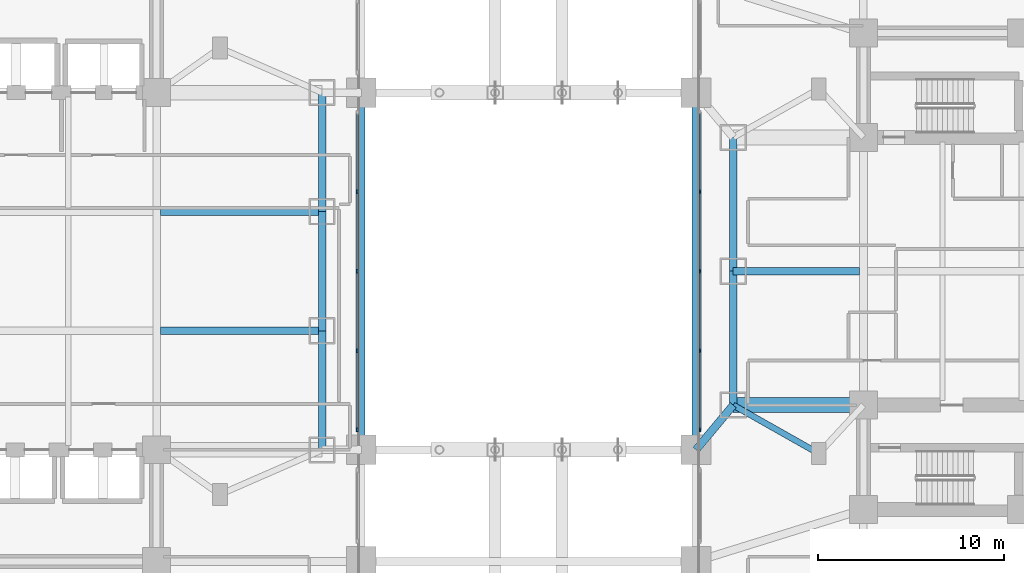
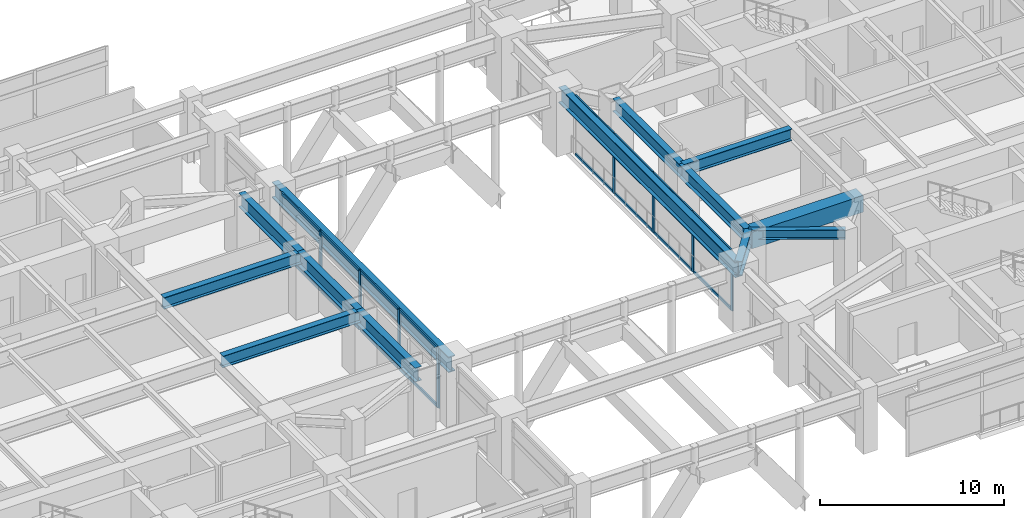
# One storey, part 5 of 30: 24 members, 13 beams, 2 elements without a shape of their own.
"""IFC4 building model written with IfcOpenShell, lengths in metres."""

from ifc_helpers import new_model, si_unit, direction, frame, origin, origin_2d, place, context, subcontext, project, spatial, rectangle, i_section, extrude, material, material_profile, profile_set, type_object, element, aggregate, save


model = new_model("IFC4")

# Units and contexts
model_context = context("Model", 3, precision=1e-05, world=origin(), true_north=direction((0.0, 1.0)))
body_context = subcontext(model_context, "Body", "Model", "MODEL_VIEW")
ifc_project = project(units=[si_unit("LENGTHUNIT", "METRE"), si_unit("AREAUNIT", "SQUARE_METRE"), si_unit("VOLUMEUNIT", "CUBIC_METRE"), si_unit("PLANEANGLEUNIT", "RADIAN"), si_unit("MASSUNIT", "GRAM", prefix="KILO")], contexts=[model_context])

# Site, building, storey
site_placement = place(None, origin())
site = spatial("IfcSite", under=ifc_project, at=site_placement, CompositionType="ELEMENT")
building_placement = place(site_placement, origin())
building = spatial("IfcBuilding", under=site, at=building_placement, Name="Mirazonda Arch Towers", CompositionType="ELEMENT")
storey_placement = place(building_placement, frame((0.0, 0.0, 9.5)))
storey = spatial("IfcBuildingStorey", under=building, at=storey_placement, Name="L02", CompositionType="ELEMENT", Elevation=9.5)

# Beams
ifc_material_1 = material(Name="Steel ASTM A992 Grade 50", Category="steel")
ifc_material_profile_1 = material_profile(ifc_material_1, i_section(OverallWidth=0.39990234375, OverallDepth=0.85595703125, WebThickness=0.018310546875, FlangeThickness=0.029296875, at=origin_2d()), Name="W33X201")
ifc_profile_set_1 = profile_set([ifc_material_profile_1], Name="Steel ASTM A992 Grade 50")
beam_type_1 = type_object("IfcBeamType", Name="BM-EXT-W33X201", PredefinedType="USERDEFINED", material=ifc_profile_set_1)
for number, where, z_axis, x_axis, name in (
    (1, (61.0, 20.800048828125, 3.552001953125), (0.0, 1.0, 0.0), (-1.0, 0.0, 0.0), "L02 Floor Beam BM-T2-L02-NS-W-20"),
    (2, (61.0, 28.0, 3.552001953125), (0.0, 1.0, 0.0), (-1.0, 0.0, 0.0), "L02 Floor Beam BM-T2-L02-NS-W-28"),
):
    element("IfcBeam", number, at=place(storey_placement, frame(where, z_axis=z_axis, x_axis=x_axis)), inside=storey, type_object=beam_type_1, Name=name, ObjectType="GIRDER", PredefinedType="USERDEFINED", context=body_context, shape_type="SweptSolid", body=[
        extrude(i_section(OverallWidth=0.39990234375, OverallDepth=0.85595703125, WebThickness=0.018310546875, FlangeThickness=0.029296875, at=origin_2d()), origin(), (0.0, 0.0, 1.0), 7.199951171875),
    ])
ifc_material_profile_2 = material_profile(ifc_material_1, i_section(OverallWidth=0.41796875, OverallDepth=0.927001953125, WebThickness=0.019287109375, FlangeThickness=0.031982421875, at=origin_2d()), Name="W36X231")
ifc_profile_set_2 = profile_set([ifc_material_profile_2], Name="Steel ASTM A992 Grade 50")
beam_type_2 = type_object("IfcBeamType", Name="BM-EXT-W36X231", PredefinedType="USERDEFINED", material=ifc_profile_set_2)
beam_1_placement = place(storey_placement, frame((38.89990234375, 18.39990234375, 3.5166015625), z_axis=(0.0, 1.0, 0.0), x_axis=(-1.0, 0.0, 0.0)))
element("IfcBeam", 3, at=beam_1_placement, inside=storey, type_object=beam_type_2, Name="L02 Floor Beam BM-T1-L02-NS-E-18", ObjectType="GIRDER", PredefinedType="USERDEFINED", context=body_context, shape_type="SweptSolid", body=[
    extrude(i_section(OverallWidth=0.41796875, OverallDepth=0.927001953125, WebThickness=0.019287109375, FlangeThickness=0.031982421875, at=origin_2d()), origin(), (0.0, 0.0, 1.0), 6.400146484375),
])
beam_2_placement = place(storey_placement, frame((38.89990234375, 24.800048828125, 3.5166015625), z_axis=(0.0, 1.0, 0.0), x_axis=(-1.0, 0.0, 0.0)))
element("IfcBeam", 4, at=beam_2_placement, inside=storey, type_object=beam_type_2, Name="L02 Floor Beam BM-T1-L02-NS-E-24", ObjectType="GIRDER", PredefinedType="USERDEFINED", context=body_context, shape_type="SweptSolid", body=[
    extrude(i_section(OverallWidth=0.41796875, OverallDepth=0.927001953125, WebThickness=0.019287109375, FlangeThickness=0.031982421875, at=origin_2d()), origin(), (0.0, 0.0, 1.0), 6.39990234375),
])
beam_3_placement = place(storey_placement, frame((38.89990234375, 31.199951171875, 3.5166015625), z_axis=(0.0, 1.0, 0.0), x_axis=(-1.0, 0.0, 0.0)))
element("IfcBeam", 5, at=beam_3_placement, inside=storey, type_object=beam_type_2, Name="L02 Floor Beam BM-T1-L02-NS-E-31", ObjectType="GIRDER", PredefinedType="USERDEFINED", context=body_context, shape_type="SweptSolid", body=[
    extrude(i_section(OverallWidth=0.41796875, OverallDepth=0.927001953125, WebThickness=0.019287109375, FlangeThickness=0.031982421875, at=origin_2d()), origin(), (0.0, 0.0, 1.0), 6.400146484375),
])
ifc_material_profile_3 = material_profile(ifc_material_1, i_section(OverallWidth=0.419921875, OverallDepth=1.0400390625, WebThickness=0.031005859375, FlangeThickness=0.055908203125, at=origin_2d()), Name="W40X397")
ifc_profile_set_3 = profile_set([ifc_material_profile_3], Name="Steel ASTM A992 Grade 50")
beam_type_3 = type_object("IfcBeamType", Name="BM-EXT-W40X397", PredefinedType="USERDEFINED", material=ifc_profile_set_3)
for number, where, z_axis, x_axis, name in (
    (6, (41.0, 18.39990234375, 3.4599609375), (0.0, 1.0, 0.0), (-1.0, 0.0, 0.0), "L02 Floor Beam BM-POD-L02-PA-WL2"),
    (7, (59.0, 18.39990234375, 3.4599609375), (0.0, 1.0, 0.0), (-1.0, 0.0, 0.0), "L02 Floor Beam BM-POD-L02-PA-EL2"),
):
    element("IfcBeam", number, at=place(storey_placement, frame(where, z_axis=z_axis, x_axis=x_axis)), inside=storey, type_object=beam_type_3, Name=name, ObjectType="GIRDER", PredefinedType="USERDEFINED", context=body_context, shape_type="SweptSolid", body=[
        extrude(i_section(OverallWidth=0.419921875, OverallDepth=1.0400390625, WebThickness=0.031005859375, FlangeThickness=0.055908203125, at=origin_2d()), origin(), (0.0, 0.0, 1.0), 19.2001953125),
    ])
ifc_material_profile_4 = material_profile(ifc_material_1, i_section(OverallWidth=0.324951171875, OverallDepth=0.615966796875, WebThickness=0.013916015625, FlangeThickness=0.021484375, at=origin_2d()), Name="W24X117")
ifc_profile_set_4 = profile_set([ifc_material_profile_4], Name="Steel ASTM A992 Grade 50")
beam_type_4 = type_object("IfcBeamType", Name="BM-INT-W24X117", PredefinedType="BEAM", material=ifc_profile_set_4)
beam_4_placement = place(storey_placement, frame((65.60009765625, 18.199951171875, 3.672119140625), z_axis=(-0.870559396632, 0.492063346467, 0.0), x_axis=(-0.492063346467, -0.870559396632, 0.0)))
element("IfcBeam", 8, at=beam_4_placement, inside=storey, type_object=beam_type_4, Name="L02 Floor Beam BM-T2-L02-PL-SW2", PredefinedType="BEAM", context=body_context, shape_type="SweptSolid", body=[
    extrude(i_section(OverallWidth=0.324951171875, OverallDepth=0.615966796875, WebThickness=0.013916015625, FlangeThickness=0.021484375, at=origin_2d()), origin(), (0.0, 0.0, 1.0), 5.2841796875),
])
ifc_material_profile_5 = material_profile(ifc_material_1, i_section(OverallWidth=0.381103515625, OverallDepth=0.77294921875, WebThickness=0.0166015625, FlangeThickness=0.027099609375, at=origin_2d()), Name="W30X173")
ifc_profile_set_5 = profile_set([ifc_material_profile_5], Name="Steel ASTM A992 Grade 50")
beam_type_5 = type_object("IfcBeamType", Name="BM-INT-W30X173", PredefinedType="USERDEFINED", material=ifc_profile_set_5)
for number, where, z_axis, x_axis, name in (
    (9, (30.2099609375, 24.800048828125, 3.593505859375), (1.0, 0.0, 0.0), (0.0, 1.0, 0.0), "L02 Floor Beam BM-T1-L02-GE2"),
    (10, (30.2099609375, 31.199951171875, 3.593505859375), (1.0, 0.0, 0.0), (0.0, 1.0, 0.0), "L02 Floor Beam BM-T1-L02-GE3"),
):
    element("IfcBeam", number, at=place(storey_placement, frame(where, z_axis=z_axis, x_axis=x_axis)), inside=storey, type_object=beam_type_5, Name=name, ObjectType="GIRDER", PredefinedType="USERDEFINED", context=body_context, shape_type="SweptSolid", body=[
        extrude(i_section(OverallWidth=0.381103515625, OverallDepth=0.77294921875, WebThickness=0.0166015625, FlangeThickness=0.027099609375, at=origin_2d()), origin(), (0.0, 0.0, 1.0), 8.68994140625),
    ])
beam_5_placement = place(storey_placement, frame((61.0, 28.0, 3.593505859375), z_axis=(1.0, 0.0, 0.0), x_axis=(0.0, 1.0, 0.0)))
element("IfcBeam", 11, at=beam_5_placement, inside=storey, type_object=beam_type_5, Name="L02 Floor Beam BM-T2-L02-GW2", ObjectType="GIRDER", PredefinedType="USERDEFINED", context=body_context, shape_type="SweptSolid", body=[
    extrude(i_section(OverallWidth=0.381103515625, OverallDepth=0.77294921875, WebThickness=0.0166015625, FlangeThickness=0.027099609375, at=origin_2d()), origin(), (0.0, 0.0, 1.0), 6.791015625),
])
ifc_material_profile_6 = material_profile(ifc_material_1, i_section(OverallWidth=0.423095703125, OverallDepth=0.947998046875, WebThickness=0.02392578125, FlangeThickness=0.042724609375, at=origin_2d()), Name="W36X302")
ifc_profile_set_6 = profile_set([ifc_material_profile_6], Name="Steel ASTM A992 Grade 50")
beam_type_6 = type_object("IfcBeamType", Name="BM-INT-W36X302", PredefinedType="USERDEFINED", material=ifc_profile_set_6)
beam_6_placement = place(storey_placement, frame((59.0, 18.39990234375, 3.506103515625), z_axis=(0.640161340286, 0.76824049516, 0.0), x_axis=(-0.76824049516, 0.640161340286, 0.0)))
element("IfcBeam", 12, at=beam_6_placement, inside=storey, type_object=beam_type_6, Name="L02 Floor Beam BM-POD-L02-PA-E2", ObjectType="GIRDER", PredefinedType="USERDEFINED", context=body_context, shape_type="SweptSolid", body=[
    extrude(i_section(OverallWidth=0.423095703125, OverallDepth=0.947998046875, WebThickness=0.02392578125, FlangeThickness=0.042724609375, at=origin_2d()), origin(), (0.0, 0.0, 1.0), 3.124267578125),
])
ifc_material_2 = material(Name="Concrete C60/75", Category="concrete")
ifc_material_profile_7 = material_profile(ifc_material_2, rectangle(XDim=0.800048828125, YDim=1.10009765625, at=origin_2d()), Name="RCCB800x1100")
ifc_profile_set_7 = profile_set([ifc_material_profile_7], Name="Concrete C60/75")
beam_type_7 = type_object("IfcBeamType", Name="CB-INT-RCCB800x1100", PredefinedType="SPANDREL", material=ifc_profile_set_7)
beam_7_placement = place(storey_placement, frame((61.0, 20.800048828125, 3.429931640625), z_axis=(1.0, 0.0, 0.0), x_axis=(0.0, 1.0, 0.0)))
element("IfcBeam", 13, at=beam_7_placement, inside=storey, type_object=beam_type_7, Name="L02 Floor Beam CB-T2-L02-SW", PredefinedType="SPANDREL", context=body_context, shape_type="SweptSolid", body=[
    extrude(rectangle(XDim=0.800048828125, YDim=1.10009765625, at=origin_2d()), origin(), (0.0, 0.0, 1.0), 7.0),
])

# Curtain wall, members
ifc_material_3 = material(Name="Anodised Aluminium and Low-E Glass", Category="aluminium")
curtain_wall_type = type_object("IfcCurtainWallType", Name="CW-ARCH-GLAZE", PredefinedType="NOTDEFINED", material=ifc_material_3)
curtain_wall_1_placement = place(storey_placement, origin())
curtain_wall_1 = element("IfcCurtainWall", 14, at=curtain_wall_1_placement, inside=storey, type_object=curtain_wall_type, Name="L02 Curtain Wall CW-L02-AW-S2", PredefinedType="NOTDEFINED")
ifc_material_4 = material(Name="Anodised Aluminium Alloy", Category="aluminium")
ifc_material_profile_8 = material_profile(ifc_material_4, rectangle(XDim=0.090087890625, YDim=0.219970703125, at=origin_2d()), Name="ALU-MULL-90x220")
ifc_profile_set_8 = profile_set([ifc_material_profile_8], Name="Anodised Aluminium Alloy")
member_type_1 = type_object("IfcMemberType", Name="MULL-CW-ARCH-GLAZE", PredefinedType="MULLION", material=ifc_profile_set_8)
member_1_placement = place(storey_placement, frame((40.780029296875, 32.280029296875, 0.0), z_axis=(0.0, 0.0, 1.0), x_axis=(1.0, 0.0, 0.0)))
member_1 = element("IfcMember", 15, at=member_1_placement, type_object=member_type_1, Name="CW-106 mullion 2", PredefinedType="MULLION", context=body_context, shape_type="SweptSolid", body=[
    extrude(rectangle(XDim=0.090087890625, YDim=0.219970703125, at=origin_2d()), origin(), (0.0, 0.0, 1.0), 3.9599609375),
])
member_2_placement = place(storey_placement, frame((40.780029296875, 28.0, 0.0), z_axis=(0.0, 0.0, 1.0), x_axis=(1.0, 0.0, 0.0)))
member_2 = element("IfcMember", 16, at=member_2_placement, type_object=member_type_1, Name="CW-106 mullion 3", PredefinedType="MULLION", context=body_context, shape_type="SweptSolid", body=[
    extrude(rectangle(XDim=0.090087890625, YDim=0.219970703125, at=origin_2d()), origin(), (0.0, 0.0, 1.0), 3.9599609375),
])
member_3_placement = place(storey_placement, frame((40.780029296875, 23.719970703125, 0.0), z_axis=(0.0, 0.0, 1.0), x_axis=(1.0, 0.0, 0.0)))
member_3 = element("IfcMember", 17, at=member_3_placement, type_object=member_type_1, Name="CW-106 mullion 4", PredefinedType="MULLION", context=body_context, shape_type="SweptSolid", body=[
    extrude(rectangle(XDim=0.090087890625, YDim=0.219970703125, at=origin_2d()), origin(), (0.0, 0.0, 1.0), 3.9599609375),
])
member_4_placement = place(storey_placement, frame((40.780029296875, 19.485107421875, 0.0), z_axis=(0.0, 0.0, 1.0), x_axis=(1.0, 0.0, 0.0)))
member_4 = element("IfcMember", 18, at=member_4_placement, type_object=member_type_1, Name="CW-106 mullion 5", PredefinedType="MULLION", context=body_context, shape_type="SweptSolid", body=[
    extrude(rectangle(XDim=0.090087890625, YDim=0.219970703125, at=origin_2d()), origin(), (0.0, 0.0, 1.0), 3.9599609375),
])

curtain_wall_2_placement = place(storey_placement, origin())
curtain_wall_2 = element("IfcCurtainWall", 19, at=curtain_wall_2_placement, inside=storey, type_object=curtain_wall_type, Name="L02 Curtain Wall CW-L02-AE-S3", PredefinedType="NOTDEFINED")
member_5_placement = place(storey_placement, frame((59.219970703125, 19.485107421875, 0.0), z_axis=(0.0, 0.0, 1.0), x_axis=(-1.0, 0.0, 0.0)))
member_5 = element("IfcMember", 20, at=member_5_placement, type_object=member_type_1, Name="CW-106 mullion 1", PredefinedType="MULLION", context=body_context, shape_type="SweptSolid", body=[
    extrude(rectangle(XDim=0.090087890625, YDim=0.219970703125, at=origin_2d()), origin(), (0.0, 0.0, 1.0), 3.9599609375),
])
member_6_placement = place(storey_placement, frame((59.219970703125, 23.719970703125, 0.0), z_axis=(0.0, 0.0, 1.0), x_axis=(-1.0, 0.0, 0.0)))
member_6 = element("IfcMember", 21, at=member_6_placement, type_object=member_type_1, Name="CW-106 mullion 2", PredefinedType="MULLION", context=body_context, shape_type="SweptSolid", body=[
    extrude(rectangle(XDim=0.090087890625, YDim=0.219970703125, at=origin_2d()), origin(), (0.0, 0.0, 1.0), 3.9599609375),
])
member_7_placement = place(storey_placement, frame((59.219970703125, 28.0, 0.0), z_axis=(0.0, 0.0, 1.0), x_axis=(-1.0, 0.0, 0.0)))
member_7 = element("IfcMember", 22, at=member_7_placement, type_object=member_type_1, Name="CW-106 mullion 3", PredefinedType="MULLION", context=body_context, shape_type="SweptSolid", body=[
    extrude(rectangle(XDim=0.090087890625, YDim=0.219970703125, at=origin_2d()), origin(), (0.0, 0.0, 1.0), 3.9599609375),
])
member_8_placement = place(storey_placement, frame((59.219970703125, 32.280029296875, 0.0), z_axis=(0.0, 0.0, 1.0), x_axis=(-1.0, 0.0, 0.0)))
member_8 = element("IfcMember", 23, at=member_8_placement, type_object=member_type_1, Name="CW-106 mullion 4", PredefinedType="MULLION", context=body_context, shape_type="SweptSolid", body=[
    extrude(rectangle(XDim=0.090087890625, YDim=0.219970703125, at=origin_2d()), origin(), (0.0, 0.0, 1.0), 3.9599609375),
])

# Member
ifc_material_profile_9 = material_profile(ifc_material_4, rectangle(XDim=0.090087890625, YDim=0.199951171875, at=origin_2d()), Name="ALU-TRAN-90x200")
ifc_profile_set_9 = profile_set([ifc_material_profile_9], Name="Anodised Aluminium Alloy")
member_type_2 = type_object("IfcMemberType", Name="TRAN-CW-ARCH-GLAZE", PredefinedType="USERDEFINED", material=ifc_profile_set_9)
member_9_placement = place(storey_placement, frame((40.780029296875, 36.469970703125, 0.044921875), z_axis=(0.0, -1.0, 0.0), x_axis=(1.0, 0.0, 0.0)))
member_9 = element("IfcMember", 24, at=member_9_placement, type_object=member_type_2, Name="CW-106 transom 1.1", ObjectType="TRANSOM", PredefinedType="USERDEFINED", context=body_context, shape_type="SweptSolid", body=[
    extrude(rectangle(XDim=0.090087890625, YDim=0.199951171875, at=origin_2d()), origin(), (0.0, 0.0, 1.0), 4.14501953125),
])

member_10_placement = place(storey_placement, frame((40.780029296875, 36.469970703125, 3.9150390625), z_axis=(0.0, -1.0, 0.0), x_axis=(1.0, 0.0, 0.0)))
member_10 = element("IfcMember", 25, at=member_10_placement, type_object=member_type_2, Name="CW-106 transom 1.2", ObjectType="TRANSOM", PredefinedType="USERDEFINED", context=body_context, shape_type="SweptSolid", body=[
    extrude(rectangle(XDim=0.090087890625, YDim=0.199951171875, at=origin_2d()), origin(), (0.0, 0.0, 1.0), 4.14501953125),
])

member_11_placement = place(storey_placement, frame((40.780029296875, 32.235107421875, 0.044921875), z_axis=(0.0, -1.0, 0.0), x_axis=(1.0, 0.0, 0.0)))
member_11 = element("IfcMember", 26, at=member_11_placement, type_object=member_type_2, Name="CW-106 transom 2.1", ObjectType="TRANSOM", PredefinedType="USERDEFINED", context=body_context, shape_type="SweptSolid", body=[
    extrude(rectangle(XDim=0.090087890625, YDim=0.199951171875, at=origin_2d()), origin(), (0.0, 0.0, 1.0), 4.190185546875),
])

member_12_placement = place(storey_placement, frame((40.780029296875, 32.235107421875, 3.9150390625), z_axis=(0.0, -1.0, 0.0), x_axis=(1.0, 0.0, 0.0)))
member_12 = element("IfcMember", 27, at=member_12_placement, type_object=member_type_2, Name="CW-106 transom 2.2", ObjectType="TRANSOM", PredefinedType="USERDEFINED", context=body_context, shape_type="SweptSolid", body=[
    extrude(rectangle(XDim=0.090087890625, YDim=0.199951171875, at=origin_2d()), origin(), (0.0, 0.0, 1.0), 4.190185546875),
])

member_13_placement = place(storey_placement, frame((40.780029296875, 27.955078125, 0.044921875), z_axis=(0.0, -1.0, 0.0), x_axis=(1.0, 0.0, 0.0)))
member_13 = element("IfcMember", 28, at=member_13_placement, type_object=member_type_2, Name="CW-106 transom 3.1", ObjectType="TRANSOM", PredefinedType="USERDEFINED", context=body_context, shape_type="SweptSolid", body=[
    extrude(rectangle(XDim=0.090087890625, YDim=0.199951171875, at=origin_2d()), origin(), (0.0, 0.0, 1.0), 4.190185546875),
])

member_14_placement = place(storey_placement, frame((40.780029296875, 27.955078125, 3.9150390625), z_axis=(0.0, -1.0, 0.0), x_axis=(1.0, 0.0, 0.0)))
member_14 = element("IfcMember", 29, at=member_14_placement, type_object=member_type_2, Name="CW-106 transom 3.2", ObjectType="TRANSOM", PredefinedType="USERDEFINED", context=body_context, shape_type="SweptSolid", body=[
    extrude(rectangle(XDim=0.090087890625, YDim=0.199951171875, at=origin_2d()), origin(), (0.0, 0.0, 1.0), 4.190185546875),
])

member_15_placement = place(storey_placement, frame((40.780029296875, 23.675048828125, 0.044921875), z_axis=(0.0, -1.0, 0.0), x_axis=(1.0, 0.0, 0.0)))
member_15 = element("IfcMember", 30, at=member_15_placement, type_object=member_type_2, Name="CW-106 transom 4.1", ObjectType="TRANSOM", PredefinedType="USERDEFINED", context=body_context, shape_type="SweptSolid", body=[
    extrude(rectangle(XDim=0.090087890625, YDim=0.199951171875, at=origin_2d()), origin(), (0.0, 0.0, 1.0), 4.14501953125),
])

member_16_placement = place(storey_placement, frame((40.780029296875, 23.675048828125, 3.9150390625), z_axis=(0.0, -1.0, 0.0), x_axis=(1.0, 0.0, 0.0)))
member_16 = element("IfcMember", 31, at=member_16_placement, type_object=member_type_2, Name="CW-106 transom 4.2", ObjectType="TRANSOM", PredefinedType="USERDEFINED", context=body_context, shape_type="SweptSolid", body=[
    extrude(rectangle(XDim=0.090087890625, YDim=0.199951171875, at=origin_2d()), origin(), (0.0, 0.0, 1.0), 4.14501953125),
])

aggregate(curtain_wall_1, [member_1, member_2, member_3, member_4, member_9, member_10, member_11, member_12, member_13, member_14, member_15, member_16])

member_17_placement = place(storey_placement, frame((59.219970703125, 19.530029296875, 0.044921875), z_axis=(0.0, 1.0, 0.0), x_axis=(-1.0, 0.0, 0.0)))
member_17 = element("IfcMember", 32, at=member_17_placement, type_object=member_type_2, Name="CW-106 transom 1.1", ObjectType="TRANSOM", PredefinedType="USERDEFINED", context=body_context, shape_type="SweptSolid", body=[
    extrude(rectangle(XDim=0.090087890625, YDim=0.199951171875, at=origin_2d()), origin(), (0.0, 0.0, 1.0), 4.14501953125),
])

member_18_placement = place(storey_placement, frame((59.219970703125, 19.530029296875, 3.9150390625), z_axis=(0.0, 1.0, 0.0), x_axis=(-1.0, 0.0, 0.0)))
member_18 = element("IfcMember", 33, at=member_18_placement, type_object=member_type_2, Name="CW-106 transom 1.2", ObjectType="TRANSOM", PredefinedType="USERDEFINED", context=body_context, shape_type="SweptSolid", body=[
    extrude(rectangle(XDim=0.090087890625, YDim=0.199951171875, at=origin_2d()), origin(), (0.0, 0.0, 1.0), 4.14501953125),
])

member_19_placement = place(storey_placement, frame((59.219970703125, 23.764892578125, 0.044921875), z_axis=(0.0, 1.0, 0.0), x_axis=(-1.0, 0.0, 0.0)))
member_19 = element("IfcMember", 34, at=member_19_placement, type_object=member_type_2, Name="CW-106 transom 2.1", ObjectType="TRANSOM", PredefinedType="USERDEFINED", context=body_context, shape_type="SweptSolid", body=[
    extrude(rectangle(XDim=0.090087890625, YDim=0.199951171875, at=origin_2d()), origin(), (0.0, 0.0, 1.0), 4.190185546875),
])

member_20_placement = place(storey_placement, frame((59.219970703125, 23.764892578125, 3.9150390625), z_axis=(0.0, 1.0, 0.0), x_axis=(-1.0, 0.0, 0.0)))
member_20 = element("IfcMember", 35, at=member_20_placement, type_object=member_type_2, Name="CW-106 transom 2.2", ObjectType="TRANSOM", PredefinedType="USERDEFINED", context=body_context, shape_type="SweptSolid", body=[
    extrude(rectangle(XDim=0.090087890625, YDim=0.199951171875, at=origin_2d()), origin(), (0.0, 0.0, 1.0), 4.190185546875),
])

member_21_placement = place(storey_placement, frame((59.219970703125, 28.044921875, 0.044921875), z_axis=(0.0, 1.0, 0.0), x_axis=(-1.0, 0.0, 0.0)))
member_21 = element("IfcMember", 36, at=member_21_placement, type_object=member_type_2, Name="CW-106 transom 3.1", ObjectType="TRANSOM", PredefinedType="USERDEFINED", context=body_context, shape_type="SweptSolid", body=[
    extrude(rectangle(XDim=0.090087890625, YDim=0.199951171875, at=origin_2d()), origin(), (0.0, 0.0, 1.0), 4.190185546875),
])

member_22_placement = place(storey_placement, frame((59.219970703125, 28.044921875, 3.9150390625), z_axis=(0.0, 1.0, 0.0), x_axis=(-1.0, 0.0, 0.0)))
member_22 = element("IfcMember", 37, at=member_22_placement, type_object=member_type_2, Name="CW-106 transom 3.2", ObjectType="TRANSOM", PredefinedType="USERDEFINED", context=body_context, shape_type="SweptSolid", body=[
    extrude(rectangle(XDim=0.090087890625, YDim=0.199951171875, at=origin_2d()), origin(), (0.0, 0.0, 1.0), 4.190185546875),
])

member_23_placement = place(storey_placement, frame((59.219970703125, 32.324951171875, 0.044921875), z_axis=(0.0, 1.0, 0.0), x_axis=(-1.0, 0.0, 0.0)))
member_23 = element("IfcMember", 38, at=member_23_placement, type_object=member_type_2, Name="CW-106 transom 4.1", ObjectType="TRANSOM", PredefinedType="USERDEFINED", context=body_context, shape_type="SweptSolid", body=[
    extrude(rectangle(XDim=0.090087890625, YDim=0.199951171875, at=origin_2d()), origin(), (0.0, 0.0, 1.0), 4.14501953125),
])

member_24_placement = place(storey_placement, frame((59.219970703125, 32.324951171875, 3.9150390625), z_axis=(0.0, 1.0, 0.0), x_axis=(-1.0, 0.0, 0.0)))
member_24 = element("IfcMember", 39, at=member_24_placement, type_object=member_type_2, Name="CW-106 transom 4.2", ObjectType="TRANSOM", PredefinedType="USERDEFINED", context=body_context, shape_type="SweptSolid", body=[
    extrude(rectangle(XDim=0.090087890625, YDim=0.199951171875, at=origin_2d()), origin(), (0.0, 0.0, 1.0), 4.14501953125),
])

aggregate(curtain_wall_2, [member_5, member_6, member_7, member_8, member_17, member_18, member_19, member_20, member_21, member_22, member_23, member_24])

save(model, "model.ifc")
